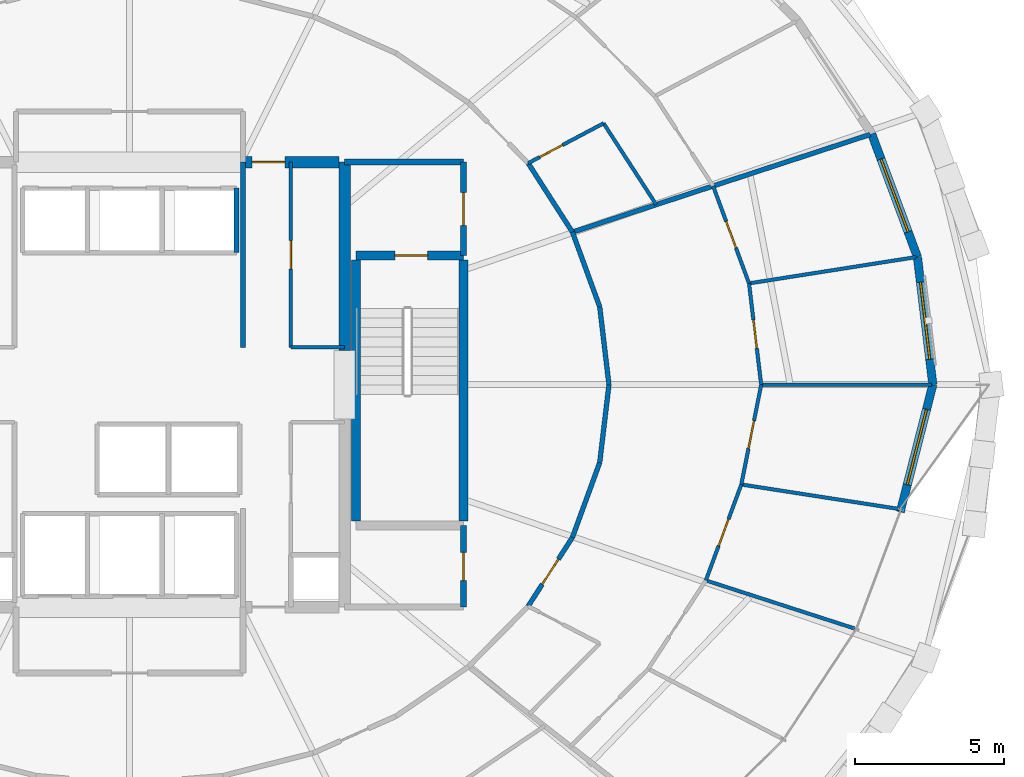
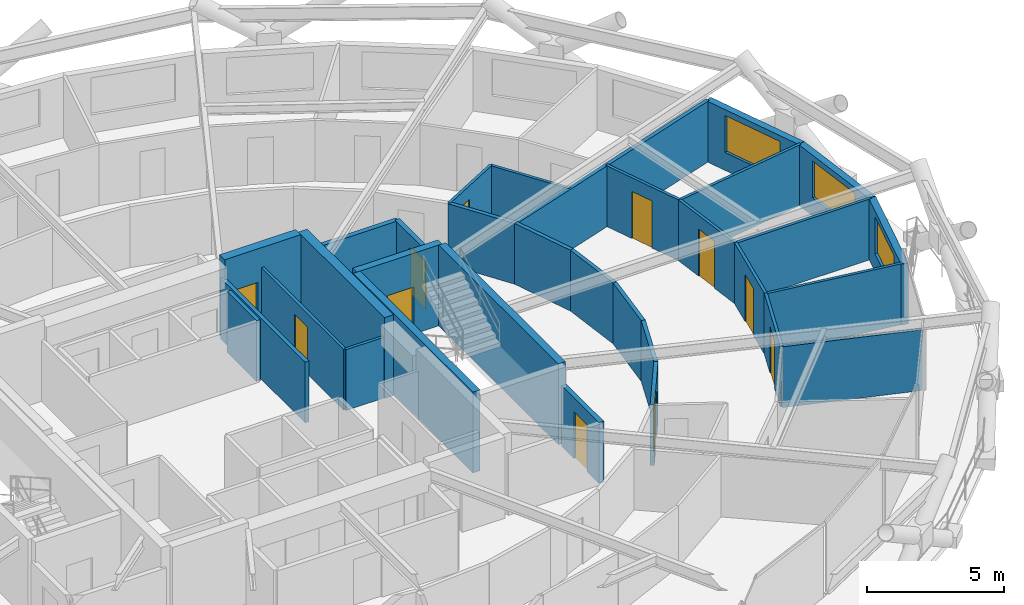
# One storey, part 16 of 21: 32 walls, 11 doors, 3 windows, 14 openings.
"""IFC4 building model written with IfcOpenShell, lengths in metres."""

from ifc_helpers import new_model, si_unit, direction, frame, frame_2d, origin, place, context, subcontext, project, spatial, rectangle, extrude, material, layer, layer_set, type_object, element, fill, save


model = new_model("IFC4")

# Units and contexts
model_context = context("Model", 3, precision=1e-05, world=origin(), true_north=direction((0.0, 1.0)))
body_context = subcontext(model_context, "Body", "Model", "MODEL_VIEW")
ifc_project = project(units=[si_unit("LENGTHUNIT", "METRE"), si_unit("AREAUNIT", "SQUARE_METRE"), si_unit("VOLUMEUNIT", "CUBIC_METRE"), si_unit("PLANEANGLEUNIT", "RADIAN"), si_unit("MASSUNIT", "GRAM", prefix="KILO")], contexts=[model_context])

# Site, building, storey
site_placement = place(None, origin())
site = spatial("IfcSite", under=ifc_project, at=site_placement, CompositionType="ELEMENT")
building_placement = place(site_placement, origin())
building = spatial("IfcBuilding", under=site, at=building_placement, Name="Veldorina Hangang Commons", CompositionType="ELEMENT")
storey_placement = place(building_placement, frame((0.0, 0.0, 98.800048828125)))
storey = spatial("IfcBuildingStorey", under=building, at=storey_placement, Name="L25", CompositionType="ELEMENT", Elevation=98.800048828125)

# Wall
ifc_material_1 = material(Name="Concrete C70/85", Category="concrete")
ifc_layer_1 = layer(ifc_material_1, 0.3798828125)
ifc_layer_set_1 = layer_set([ifc_layer_1], Name="Concrete C70/85")
wall_type_1 = type_object("IfcWallType", Name="CW-RC380-C70", PredefinedType="SHEAR", material=ifc_layer_set_1)
wall_1_placement = place(storey_placement, frame((39.199951171875, 25.14990234375, 0.0), z_axis=(0.0, 0.0, 1.0), x_axis=(0.0, 1.0, 0.0)))
element("IfcWall", 1, at=wall_1_placement, inside=storey, type_object=wall_type_1, Name="L25 E north core shear wall", PredefinedType="SHEAR", context=body_context, shape_type="SweptSolid", body=[
    extrude(rectangle(XDim=6.300048828125, YDim=0.3798828125, at=frame_2d((3.14990234375, 0.0))), origin(), (0.0, 0.0, 1.0), 3.599853515625),
])

# Wall, opening, door
wall_2_placement = place(storey_placement, frame((35.800048828125, 31.449951171875, 0.0), z_axis=(0.0, 0.0, 1.0), x_axis=(1.0, 0.0, 0.0)))
wall_2 = element("IfcWall", 2, at=wall_2_placement, inside=storey, type_object=wall_type_1, Name="L25 north-east core shear wall", PredefinedType="SHEAR", context=body_context, shape_type="SweptSolid", body=[
    extrude(rectangle(XDim=3.2099609375, YDim=0.3798828125, at=frame_2d((1.60498046875, 0.0))), origin(), (0.0, 0.0, 1.0), 3.599853515625),
])
opening_1_placement = place(wall_2_placement, frame((0.300048828125, 0.0, 0.0)))
opening_1 = element("IfcOpeningElement", 3, at=opening_1_placement, cuts=wall_2, Name="Opening D-08", PredefinedType="OPENING", context=body_context, shape_type="SweptSolid", body=[
    extrude(rectangle(XDim=1.10009765625, YDim=2.10009765625, at=frame_2d((0.550048828125, 1.050048828125))), frame((0.0, 0.199951171875, 0.0), z_axis=(0.0, -1.0, 0.0), x_axis=(1.0, 0.0, 0.0)), (0.0, 0.0, 1.0), 0.39990234375),
])
ifc_material_2 = material(Name="Steel Fire-Rated Smoke Seal", Category="steel")
door_type_1 = type_object("IfcDoorType", Name="DR-FIRE-1100", OperationType="SINGLE_SWING_RIGHT", PredefinedType="DOOR", material=ifc_material_2)
door_1_placement = place(opening_1_placement, origin())
door_1 = element("IfcDoor", 4, at=door_1_placement, inside=storey, type_object=door_type_1, Name="L25 central lift lobby north corridor door", OperationType="SINGLE_SWING_LEFT", OverallHeight=2.10009765625, OverallWidth=1.10009765625, PredefinedType="DOOR", context=body_context, shape_type="SweptSolid", body=[
    extrude(rectangle(XDim=1.10009765625, YDim=2.10009765625, at=frame_2d((0.550048828125, 1.050048828125))), frame((0.0, 0.02490234375, 0.0), z_axis=(0.0, -1.0, 0.0), x_axis=(1.0, 0.0, 0.0)), (0.0, 0.0, 1.0), 0.050048828125),
])
fill(opening_1, door_1)

# Wall, opening, window
ifc_material_3 = material(Name="Stone Roman Travertine", Category="masonry")
ifc_layer_2 = layer(ifc_material_3, 0.280029296875)
ifc_layer_set_2 = layer_set([ifc_layer_2], Name="Stone Roman Travertine")
wall_type_2 = type_object("IfcWallType", Name="EW-TRAV-280", PredefinedType="STANDARD", material=ifc_layer_set_2)
wall_3_placement = place(storey_placement, frame((58.89501953125, 24.0, 0.0), z_axis=(0.0, 0.0, 1.0), x_axis=(-0.119886563343, 0.992787596583, 0.0)))
wall_3 = element("IfcWall", 5, at=wall_3_placement, inside=storey, type_object=wall_type_2, Name="L25 travertine facade wall 00", PredefinedType="STANDARD", context=body_context, shape_type="SweptSolid", body=[
    extrude(rectangle(XDim=4.31103515625, YDim=0.280029296875, at=frame_2d((2.155517578125, 0.0))), origin(), (0.0, 0.0, 1.0), 2.7099609375),
])
opening_2_placement = place(wall_3_placement, frame((0.85546875, 0.0, 0.800048828125)))
opening_2 = element("IfcOpeningElement", 6, at=opening_2_placement, cuts=wall_3, Name="Opening W-02", PredefinedType="OPENING", context=body_context, shape_type="SweptSolid", body=[
    extrude(rectangle(XDim=2.60009765625, YDim=1.64990234375, at=frame_2d((1.300048828125, 0.824951171875))), frame((0.0, 0.14990234375, 0.0), z_axis=(0.0, -1.0, 0.0), x_axis=(1.0, 0.0, 0.0)), (0.0, 0.0, 1.0), 0.300048828125),
])
ifc_material_4 = material(Name="Glass Low-E Triple IGU", Category="glass")
window_type = type_object("IfcWindowType", Name="WIN-TWR-2600", PartitioningType="SINGLE_PANEL", PredefinedType="WINDOW", material=ifc_material_4)
window_1_placement = place(opening_2_placement, origin())
window_1 = element("IfcWindow", 7, at=window_1_placement, inside=storey, type_object=window_type, Name="L25 facade window 00", OverallHeight=1.64990234375, OverallWidth=2.60009765625, PartitioningType="SINGLE_PANEL", PredefinedType="WINDOW", context=body_context, shape_type="SweptSolid", body=[
    extrude(rectangle(XDim=2.60009765625, YDim=1.64990234375, at=frame_2d((1.300048828125, 0.824951171875))), frame((0.0, 0.030029296875, 0.0), z_axis=(0.0, -1.0, 0.0), x_axis=(1.0, 0.0, 0.0)), (0.0, 0.0, 1.0), 0.06005859375),
])
fill(opening_2, window_1)

wall_4_placement = place(storey_placement, frame((58.378173828125, 28.280029296875, 0.0), z_axis=(0.0, 0.0, 1.0), x_axis=(-0.348569013741, 0.937283117665, 0.0)))
wall_4 = element("IfcWall", 8, at=wall_4_placement, inside=storey, type_object=wall_type_2, Name="L25 travertine facade wall 01", PredefinedType="STANDARD", context=body_context, shape_type="SweptSolid", body=[
    extrude(rectangle(XDim=4.390869140625, YDim=0.280029296875, at=frame_2d((2.1953125, 0.0))), origin(), (0.0, 0.0, 1.0), 2.7099609375),
])
opening_3_placement = place(wall_4_placement, frame((0.8955078125, 0.0, 0.800048828125)))
opening_3 = element("IfcOpeningElement", 9, at=opening_3_placement, cuts=wall_4, Name="Opening W-02", PredefinedType="OPENING", context=body_context, shape_type="SweptSolid", body=[
    extrude(rectangle(XDim=2.60009765625, YDim=1.64990234375, at=frame_2d((1.300048828125, 0.824951171875))), frame((0.0, 0.14990234375, 0.0), z_axis=(0.0, -1.0, 0.0), x_axis=(1.0, 0.0, 0.0)), (0.0, 0.0, 1.0), 0.300048828125),
])
window_2_placement = place(opening_3_placement, origin())
window_2 = element("IfcWindow", 10, at=window_2_placement, inside=storey, type_object=window_type, Name="L25 facade window 01", OverallHeight=1.64990234375, OverallWidth=2.60009765625, PartitioningType="SINGLE_PANEL", PredefinedType="WINDOW", context=body_context, shape_type="SweptSolid", body=[
    extrude(rectangle(XDim=2.60009765625, YDim=1.64990234375, at=frame_2d((1.300048828125, 0.824951171875))), frame((0.0, 0.030029296875, 0.0), z_axis=(0.0, -1.0, 0.0), x_axis=(1.0, 0.0, 0.0)), (0.0, 0.0, 1.0), 0.06005859375),
])
fill(opening_3, window_2)

wall_5_placement = place(storey_placement, frame((57.80615234375, 19.740234375, 0.0), z_axis=(0.0, 0.0, 1.0), x_axis=(0.247653865661, 0.968848575797, 0.0)))
wall_5 = element("IfcWall", 11, at=wall_5_placement, inside=storey, type_object=wall_type_2, Name="L25 travertine facade wall 31", PredefinedType="STANDARD", context=body_context, shape_type="SweptSolid", body=[
    extrude(rectangle(XDim=4.396728515625, YDim=0.280029296875, at=frame_2d((2.1982421875, 0.0))), origin(), (0.0, 0.0, 1.0), 2.7099609375),
])
opening_4_placement = place(wall_5_placement, frame((0.9443359375, 0.0, 0.800048828125)))
opening_4 = element("IfcOpeningElement", 12, at=opening_4_placement, cuts=wall_5, Name="Opening W-02", PredefinedType="OPENING", context=body_context, shape_type="SweptSolid", body=[
    extrude(rectangle(XDim=2.60009765625, YDim=1.64990234375, at=frame_2d((1.300048828125, 0.824951171875))), frame((0.0, 0.14990234375, 0.0), z_axis=(0.0, -1.0, 0.0), x_axis=(1.0, 0.0, 0.0)), (0.0, 0.0, 1.0), 0.300048828125),
])
window_3_placement = place(opening_4_placement, origin())
window_3 = element("IfcWindow", 13, at=window_3_placement, inside=storey, type_object=window_type, Name="L25 facade window 31", OverallHeight=1.64990234375, OverallWidth=2.60009765625, PartitioningType="SINGLE_PANEL", PredefinedType="WINDOW", context=body_context, shape_type="SweptSolid", body=[
    extrude(rectangle(XDim=2.60009765625, YDim=1.64990234375, at=frame_2d((1.300048828125, 0.824951171875))), frame((0.0, 0.030029296875, 0.0), z_axis=(0.0, -1.0, 0.0), x_axis=(1.0, 0.0, 0.0)), (0.0, 0.0, 1.0), 0.06005859375),
])
fill(opening_4, window_3)

# Walls
ifc_material_5 = material(Name="Concrete C50/60", Category="concrete")
ifc_layer_3 = layer(ifc_material_5, 0.300048828125)
ifc_layer_set_3 = layer_set([ifc_layer_3], Name="Concrete C50/60")
wall_type_3 = type_object("IfcWallType", Name="SW-STAIR-300", PredefinedType="SHEAR", material=ifc_layer_set_3)
for number, where, z_axis, x_axis, name in (
    (14, (43.179931640625, 19.429931640625, 0.0), (0.0, 0.0, 1.0), (0.0, 1.0, 0.0), "L25 ST2 outer stair shear wall"),
    (15, (39.580078125, 19.429931640625, 0.0), (0.0, 0.0, 1.0), (0.0, 1.0, 0.0), "L25 ST2 inner stair shear wall"),
):
    element("IfcWall", number, at=place(storey_placement, frame(where, z_axis=z_axis, x_axis=x_axis)), inside=storey, type_object=wall_type_3, Name=name, PredefinedType="SHEAR", context=body_context, shape_type="SweptSolid", body=[
        extrude(rectangle(XDim=8.739990234375, YDim=0.300048828125, at=frame_2d((4.3701171875, 0.0))), origin(), (0.0, 0.0, 1.0), 3.599853515625),
    ])

# Wall, opening, door
wall_6_placement = place(storey_placement, frame((39.580078125, 28.320068359375, 0.0), z_axis=(0.0, 0.0, 1.0), x_axis=(1.0, 0.0, 0.0)))
wall_6 = element("IfcWall", 16, at=wall_6_placement, inside=storey, type_object=wall_type_3, Name="L25 ST2 north stair shear wall", PredefinedType="SHEAR", context=body_context, shape_type="SweptSolid", body=[
    extrude(rectangle(XDim=3.599853515625, YDim=0.300048828125, at=frame_2d((1.7998046875, 0.0))), origin(), (0.0, 0.0, 1.0), 3.599853515625),
])
opening_5_placement = place(wall_6_placement, frame((1.300048828125, 0.0, 0.0)))
opening_5 = element("IfcOpeningElement", 17, at=opening_5_placement, cuts=wall_6, Name="Opening D-08", PredefinedType="OPENING", context=body_context, shape_type="SweptSolid", body=[
    extrude(rectangle(XDim=1.10009765625, YDim=2.10009765625, at=frame_2d((0.550048828125, 1.050048828125))), frame((0.0, 0.16015625, 0.0), z_axis=(0.0, -1.0, 0.0), x_axis=(1.0, 0.0, 0.0)), (0.0, 0.0, 1.0), 0.320068359375),
])
door_2_placement = place(opening_5_placement, origin())
door_2 = element("IfcDoor", 18, at=door_2_placement, inside=storey, type_object=door_type_1, Name="L25 Special Escape Stair ST-2 door", OperationType="SINGLE_SWING_RIGHT", OverallHeight=2.10009765625, OverallWidth=1.10009765625, PredefinedType="DOOR", context=body_context, shape_type="SweptSolid", body=[
    extrude(rectangle(XDim=1.10009765625, YDim=2.10009765625, at=frame_2d((0.550048828125, 1.050048828125))), frame((0.0, 0.02490234375, 0.0), z_axis=(0.0, -1.0, 0.0), x_axis=(1.0, 0.0, 0.0)), (0.0, 0.0, 1.0), 0.050048828125),
])
fill(opening_5, door_2)

# Walls
ifc_material_6 = material(Name="Gypsum Fire-Rated Twin Stud Wall", Category="gypsum")
ifc_layer_4 = layer(ifc_material_6, 0.159912109375)
ifc_layer_set_4 = layer_set([ifc_layer_4], Name="Gypsum Fire-Rated Twin Stud Wall")
wall_type_4 = type_object("IfcWallType", Name="WL-FIRE-160", PredefinedType="SOLIDWALL", material=ifc_layer_set_4)
wall_7_placement = place(storey_placement, frame((35.800048828125, 25.25, 0.0), z_axis=(0.0, 0.0, 1.0), x_axis=(0.0, 1.0, 0.0)))
element("IfcWall", 19, at=wall_7_placement, inside=storey, type_object=wall_type_4, Name="L25 Lift passage NW wall 011", PredefinedType="SOLIDWALL", context=body_context, shape_type="SweptSolid", body=[
    extrude(rectangle(XDim=6.199951171875, YDim=0.159912109375, at=frame_2d((3.10009765625, 0.0))), origin(), (0.0, 0.0, 1.0), 2.7099609375),
])
wall_8_placement = place(storey_placement, frame((35.580078125, 28.419921875, 0.0), z_axis=(0.0, 0.0, 1.0), x_axis=(0.0, 1.0, 0.0)))
element("IfcWall", 20, at=wall_8_placement, inside=storey, type_object=wall_type_4, Name="L25 PL-L3 east shaft wall 020", PredefinedType="SOLIDWALL", context=body_context, shape_type="SweptSolid", body=[
    extrude(rectangle(XDim=2.16015625, YDim=0.159912109375, at=frame_2d((1.080078125, 0.0))), origin(), (0.0, 0.0, 1.0), 2.7099609375),
])
wall_9_placement = place(storey_placement, frame((48.050048828125, 24.0, 0.0), z_axis=(0.0, 0.0, 1.0), x_axis=(-0.117570353762, 0.993064555765, 0.0)))
element("IfcWall", 21, at=wall_9_placement, inside=storey, type_object=wall_type_4, Name="L25 Corridor outer wall 00 045", PredefinedType="SOLIDWALL", context=body_context, shape_type="SweptSolid", body=[
    extrude(rectangle(XDim=2.622802734375, YDim=0.159912109375, at=frame_2d((1.3115234375, 0.0))), origin(), (0.0, 0.0, 1.0), 2.7099609375),
])
wall_10_placement = place(storey_placement, frame((47.74169921875, 26.6044921875, 0.0), z_axis=(0.0, 0.0, 1.0), x_axis=(-0.342617982381, 0.939474809747, 0.0)))
element("IfcWall", 22, at=wall_10_placement, inside=storey, type_object=wall_type_4, Name="L25 Corridor outer wall 01 046", PredefinedType="SOLIDWALL", context=body_context, shape_type="SweptSolid", body=[
    extrude(rectangle(XDim=2.665771484375, YDim=0.159912109375, at=frame_2d((1.3330078125, 0.0))), origin(), (0.0, 0.0, 1.0), 2.7099609375),
])
wall_11_placement = place(storey_placement, frame((46.828369140625, 29.10888671875, 0.0), z_axis=(0.0, 0.0, 1.0), x_axis=(-0.540595670038, 0.841282545603, 0.0)))
element("IfcWall", 23, at=wall_11_placement, inside=storey, type_object=wall_type_4, Name="L25 Corridor outer wall 02 047", PredefinedType="SOLIDWALL", context=body_context, shape_type="SweptSolid", body=[
    extrude(rectangle(XDim=2.74365234375, YDim=0.159912109375, at=frame_2d((1.371826171875, 0.0))), origin(), (0.0, 0.0, 1.0), 2.7099609375),
])

# Wall, opening, door
wall_12_placement = place(storey_placement, frame((45.34521484375, 16.5830078125, 0.0), z_axis=(0.0, 0.0, 1.0), x_axis=(0.540595670038, 0.841282545603, 0.0)))
wall_12 = element("IfcWall", 24, at=wall_12_placement, inside=storey, type_object=wall_type_4, Name="L25 Corridor outer wall 29 074", PredefinedType="SOLIDWALL", context=body_context, shape_type="SweptSolid", body=[
    extrude(rectangle(XDim=2.74365234375, YDim=0.159912109375, at=frame_2d((1.371826171875, 0.0))), origin(), (0.0, 0.0, 1.0), 2.7099609375),
])
opening_6_placement = place(wall_12_placement, frame((0.871826171875, 0.0, 0.0)))
opening_6 = element("IfcOpeningElement", 25, at=opening_6_placement, cuts=wall_12, Name="Opening D-06", PredefinedType="OPENING", context=body_context, shape_type="SweptSolid", body=[
    extrude(rectangle(XDim=1.0, YDim=2.10009765625, at=frame_2d((0.5, 1.050048828125))), frame((0.0, 0.08984375, 0.0), z_axis=(0.0, -1.0, 0.0), x_axis=(1.0, 0.0, 0.0)), (0.0, 0.0, 1.0), 0.179931640625),
])
ifc_material_7 = material(Name="Timber Fire-Rated Entrance Core", Category="wood")
door_type_2 = type_object("IfcDoorType", Name="DR-UNIT-1000", OperationType="SINGLE_SWING_LEFT", PredefinedType="DOOR", material=ifc_material_7)
door_3_placement = place(opening_6_placement, origin())
door_3 = element("IfcDoor", 26, at=door_3_placement, inside=storey, type_object=door_type_2, Name="L25 Cluster 2 entrance door 020", OperationType="SINGLE_SWING_RIGHT", OverallHeight=2.10009765625, OverallWidth=1.0, PredefinedType="DOOR", context=body_context, shape_type="SweptSolid", body=[
    extrude(rectangle(XDim=1.0, YDim=2.10009765625, at=frame_2d((0.5, 1.050048828125))), frame((0.0, 0.02490234375, 0.0), z_axis=(0.0, -1.0, 0.0), x_axis=(1.0, 0.0, 0.0)), (0.0, 0.0, 1.0), 0.050048828125),
])
fill(opening_6, door_3)

# Walls
wall_13_placement = place(storey_placement, frame((46.828369140625, 18.89111328125, 0.0), z_axis=(0.0, 0.0, 1.0), x_axis=(0.342617982381, 0.939474809747, 0.0)))
element("IfcWall", 27, at=wall_13_placement, inside=storey, type_object=wall_type_4, Name="L25 Corridor outer wall 30 075", PredefinedType="SOLIDWALL", context=body_context, shape_type="SweptSolid", body=[
    extrude(rectangle(XDim=2.665771484375, YDim=0.159912109375, at=frame_2d((1.3330078125, 0.0))), origin(), (0.0, 0.0, 1.0), 2.7099609375),
])
wall_14_placement = place(storey_placement, frame((47.74169921875, 21.3955078125, 0.0), z_axis=(0.0, 0.0, 1.0), x_axis=(0.117570353762, 0.993064555765, 0.0)))
element("IfcWall", 28, at=wall_14_placement, inside=storey, type_object=wall_type_4, Name="L25 Corridor outer wall 31 076", PredefinedType="SOLIDWALL", context=body_context, shape_type="SweptSolid", body=[
    extrude(rectangle(XDim=2.622802734375, YDim=0.159912109375, at=frame_2d((1.3115234375, 0.0))), origin(), (0.0, 0.0, 1.0), 2.7099609375),
])
wall_15_placement = place(storey_placement, frame((46.828369140625, 29.10888671875, 0.0), z_axis=(0.0, 0.0, 1.0), x_axis=(0.950186855509, 0.311680829725, 0.0)))
element("IfcWall", 29, at=wall_15_placement, inside=storey, type_object=wall_type_4, Name="L25 Unit party wall 02 096", PredefinedType="SOLIDWALL", context=body_context, shape_type="SweptSolid", body=[
    extrude(rectangle(XDim=10.49462890625, YDim=0.159912109375, at=frame_2d((5.247314453125, 0.0))), origin(), (0.0, 0.0, 1.0), 2.7099609375),
])

# Wall, opening, door
ifc_material_8 = material(Name="Concrete Blockwork Fire Wall C30/37", Category="masonry")
ifc_layer_5 = layer(ifc_material_8, 0.199951171875)
ifc_layer_set_5 = layer_set([ifc_layer_5], Name="Concrete Blockwork Fire Wall C30/37")
wall_type_5 = type_object("IfcWallType", Name="WL-FIRE-200", PredefinedType="SOLIDWALL", material=ifc_layer_set_5)
wall_16_placement = place(storey_placement, frame((43.179931640625, 28.320068359375, 0.0), z_axis=(0.0, 0.0, 1.0), x_axis=(0.0, 1.0, 0.0)))
wall_16 = element("IfcWall", 30, at=wall_16_placement, inside=storey, type_object=wall_type_5, Name="L25 East vestibule outer wall 003", PredefinedType="SOLIDWALL", context=body_context, shape_type="SweptSolid", body=[
    extrude(rectangle(XDim=3.1298828125, YDim=0.199951171875, at=frame_2d((1.56494140625, 0.0))), origin(), (0.0, 0.0, 1.0), 2.7099609375),
])
opening_7_placement = place(wall_16_placement, frame((1.014892578125, 0.0, 0.0)))
opening_7 = element("IfcOpeningElement", 31, at=opening_7_placement, cuts=wall_16, Name="Opening D-08", PredefinedType="OPENING", context=body_context, shape_type="SweptSolid", body=[
    extrude(rectangle(XDim=1.10009765625, YDim=2.10009765625, at=frame_2d((0.550048828125, 1.050048828125))), frame((0.0, 0.10986328125, 0.0), z_axis=(0.0, -1.0, 0.0), x_axis=(1.0, 0.0, 0.0)), (0.0, 0.0, 1.0), 0.219970703125),
])
door_4_placement = place(opening_7_placement, origin())
door_4 = element("IfcDoor", 32, at=door_4_placement, inside=storey, type_object=door_type_1, Name="L25 East vestibule east door 002", OperationType="SINGLE_SWING_RIGHT", OverallHeight=2.10009765625, OverallWidth=1.10009765625, PredefinedType="DOOR", context=body_context, shape_type="SweptSolid", body=[
    extrude(rectangle(XDim=1.10009765625, YDim=2.10009765625, at=frame_2d((0.550048828125, 1.050048828125))), frame((0.0, 0.02490234375, 0.0), z_axis=(0.0, -1.0, 0.0), x_axis=(1.0, 0.0, 0.0)), (0.0, 0.0, 1.0), 0.050048828125),
])
fill(opening_7, door_4)

# Wall
wall_17_placement = place(storey_placement, frame((39.199951171875, 31.449951171875, 0.0), z_axis=(0.0, 0.0, 1.0), x_axis=(1.0, 0.0, 0.0)))
element("IfcWall", 33, at=wall_17_placement, inside=storey, type_object=wall_type_5, Name="L25 East vestibule north wall 004", PredefinedType="SOLIDWALL", context=body_context, shape_type="SweptSolid", body=[
    extrude(rectangle(XDim=3.97998046875, YDim=0.199951171875, at=frame_2d((1.989990234375, 0.0))), origin(), (0.0, 0.0, 1.0), 2.7099609375),
])

# Wall, opening, door
wall_18_placement = place(storey_placement, frame((43.179931640625, 16.550048828125, 0.0), z_axis=(0.0, 0.0, 1.0), x_axis=(0.0, 1.0, 0.0)))
wall_18 = element("IfcWall", 34, at=wall_18_placement, inside=storey, type_object=wall_type_5, Name="L25 SE core room outer wall 007", PredefinedType="SOLIDWALL", context=body_context, shape_type="SweptSolid", body=[
    extrude(rectangle(XDim=2.72998046875, YDim=0.199951171875, at=frame_2d((1.364990234375, 0.0))), origin(), (0.0, 0.0, 1.0), 2.7099609375),
])
opening_8_placement = place(wall_18_placement, frame((0.889892578125, 0.0, 0.0)))
opening_8 = element("IfcOpeningElement", 35, at=opening_8_placement, cuts=wall_18, Name="Opening D-02", PredefinedType="OPENING", context=body_context, shape_type="SweptSolid", body=[
    extrude(rectangle(XDim=0.949951171875, YDim=2.10009765625, at=frame_2d((0.47509765625, 1.050048828125))), frame((0.0, 0.10986328125, 0.0), z_axis=(0.0, -1.0, 0.0), x_axis=(1.0, 0.0, 0.0)), (0.0, 0.0, 1.0), 0.219970703125),
])
ifc_material_9 = material(Name="Timber Solid Core Acoustic", Category="wood")
door_type_3 = type_object("IfcDoorType", Name="DR-INT-950", OperationType="SINGLE_SWING_LEFT", PredefinedType="DOOR", material=ifc_material_9)
door_5_placement = place(opening_8_placement, origin())
door_5 = element("IfcDoor", 36, at=door_5_placement, inside=storey, type_object=door_type_3, Name="L25 SE core WC door 004", OperationType="SINGLE_SWING_RIGHT", OverallHeight=2.10009765625, OverallWidth=0.949951171875, PredefinedType="DOOR", context=body_context, shape_type="SweptSolid", body=[
    extrude(rectangle(XDim=0.949951171875, YDim=2.10009765625, at=frame_2d((0.47509765625, 1.050048828125))), frame((0.0, 0.02490234375, 0.0), z_axis=(0.0, -1.0, 0.0), x_axis=(1.0, 0.0, 0.0)), (0.0, 0.0, 1.0), 0.050048828125),
])
fill(opening_8, door_5)

ifc_material_10 = material(Name="Gypsum Acoustic Stud Partition", Category="gypsum")
ifc_layer_6 = layer(ifc_material_10, 0.1201171875)
ifc_layer_set_6 = layer_set([ifc_layer_6], Name="Gypsum Acoustic Stud Partition")
wall_type_6 = type_object("IfcWallType", Name="WL-PART-120", PredefinedType="PARTITIONING", material=ifc_layer_set_6)
wall_19_placement = place(storey_placement, frame((37.39990234375, 25.25, 0.0), z_axis=(0.0, 0.0, 1.0), x_axis=(0.0, 1.0, 0.0)))
wall_19 = element("IfcWall", 37, at=wall_19_placement, inside=storey, type_object=wall_type_6, Name="L25 NE strip lobby wall 041", PredefinedType="PARTITIONING", context=body_context, shape_type="SweptSolid", body=[
    extrude(rectangle(XDim=6.199951171875, YDim=0.1201171875, at=frame_2d((3.10009765625, 0.0))), origin(), (0.0, 0.0, 1.0), 2.7099609375),
])
opening_9_placement = place(wall_19_placement, frame((2.625, 0.0, 0.0)))
opening_9 = element("IfcOpeningElement", 38, at=opening_9_placement, cuts=wall_19, Name="Opening D-02", PredefinedType="OPENING", context=body_context, shape_type="SweptSolid", body=[
    extrude(rectangle(XDim=0.949951171875, YDim=2.10009765625, at=frame_2d((0.47509765625, 1.050048828125))), frame((0.0, 0.070068359375, 0.0), z_axis=(0.0, -1.0, 0.0), x_axis=(1.0, 0.0, 0.0)), (0.0, 0.0, 1.0), 0.14013671875),
])
door_6_placement = place(opening_9_placement, origin())
door_6 = element("IfcDoor", 39, at=door_6_placement, inside=storey, type_object=door_type_3, Name="L25 Comms room door 015", OperationType="SINGLE_SWING_LEFT", OverallHeight=2.10009765625, OverallWidth=0.949951171875, PredefinedType="DOOR", context=body_context, shape_type="SweptSolid", body=[
    extrude(rectangle(XDim=0.949951171875, YDim=2.10009765625, at=frame_2d((0.47509765625, 1.050048828125))), frame((0.0, 0.02490234375, 0.0), z_axis=(0.0, -1.0, 0.0), x_axis=(1.0, 0.0, 0.0)), (0.0, 0.0, 1.0), 0.050048828125),
])
fill(opening_9, door_6)

# Wall
wall_20_placement = place(storey_placement, frame((37.39990234375, 25.25, 0.0), z_axis=(0.0, 0.0, 1.0), x_axis=(1.0, 0.0, 0.0)))
element("IfcWall", 40, at=wall_20_placement, inside=storey, type_object=wall_type_6, Name="L25 NE strip south return wall 042", PredefinedType="PARTITIONING", context=body_context, shape_type="SweptSolid", body=[
    extrude(rectangle(XDim=1.800048828125, YDim=0.1201171875, at=frame_2d((0.89990234375, 0.0))), origin(), (0.0, 0.0, 1.0), 2.7099609375),
])

# Wall, opening, door
wall_21_placement = place(storey_placement, frame((51.294189453125, 17.447265625, 0.0), z_axis=(0.0, 0.0, 1.0), x_axis=(0.347003238875, 0.937863930541, 0.0)))
wall_21 = element("IfcWall", 41, at=wall_21_placement, inside=storey, type_object=wall_type_6, Name="L25 Cluster 2 bed 3 front wall 088", PredefinedType="PARTITIONING", context=body_context, shape_type="SweptSolid", body=[
    extrude(rectangle(XDim=3.425048828125, YDim=0.1201171875, at=frame_2d((1.71240234375, 0.0))), origin(), (0.0, 0.0, 1.0), 2.7099609375),
])
opening_10_placement = place(wall_21_placement, frame((1.237548828125, 0.0, 0.0)))
opening_10 = element("IfcOpeningElement", 42, at=opening_10_placement, cuts=wall_21, Name="Opening D-02", PredefinedType="OPENING", context=body_context, shape_type="SweptSolid", body=[
    extrude(rectangle(XDim=0.949951171875, YDim=2.10009765625, at=frame_2d((0.47509765625, 1.050048828125))), frame((0.0, 0.070068359375, 0.0), z_axis=(0.0, -1.0, 0.0), x_axis=(1.0, 0.0, 0.0)), (0.0, 0.0, 1.0), 0.14013671875),
])
door_7_placement = place(opening_10_placement, origin())
door_7 = element("IfcDoor", 43, at=door_7_placement, inside=storey, type_object=door_type_3, Name="L25 Cluster 2 bed 3 door 023", OperationType="SINGLE_SWING_LEFT", OverallHeight=2.10009765625, OverallWidth=0.949951171875, PredefinedType="DOOR", context=body_context, shape_type="SweptSolid", body=[
    extrude(rectangle(XDim=0.949951171875, YDim=2.10009765625, at=frame_2d((0.47509765625, 1.050048828125))), frame((0.0, 0.02490234375, 0.0), z_axis=(0.0, -1.0, 0.0), x_axis=(1.0, 0.0, 0.0)), (0.0, 0.0, 1.0), 0.050048828125),
])
fill(opening_10, door_7)

# Wall
wall_22_placement = place(storey_placement, frame((51.294189453125, 17.447265625, 0.0), z_axis=(0.0, 0.0, 1.0), x_axis=(0.951494646127, -0.307665302548, 0.0)))
element("IfcWall", 44, at=wall_22_placement, inside=storey, type_object=wall_type_6, Name="L25 Cluster 2 bed divider 2 089", PredefinedType="PARTITIONING", context=body_context, shape_type="SweptSolid", body=[
    extrude(rectangle(XDim=5.242919921875, YDim=0.1201171875, at=frame_2d((2.62158203125, 0.0))), origin(), (0.0, 0.0, 1.0), 2.7099609375),
])

# Wall, opening, door
wall_23_placement = place(storey_placement, frame((52.482666015625, 20.659423828125, 0.0), z_axis=(0.0, 0.0, 1.0), x_axis=(0.195109771399, 0.98078141148, 0.0)))
wall_23 = element("IfcWall", 45, at=wall_23_placement, inside=storey, type_object=wall_type_6, Name="L25 Cluster 2 bed 4 front wall 090", PredefinedType="PARTITIONING", context=body_context, shape_type="SweptSolid", body=[
    extrude(rectangle(XDim=3.406005859375, YDim=0.1201171875, at=frame_2d((1.703125, 0.0))), origin(), (0.0, 0.0, 1.0), 2.7099609375),
])
opening_11_placement = place(wall_23_placement, frame((1.22802734375, 0.0, 0.0)))
opening_11 = element("IfcOpeningElement", 46, at=opening_11_placement, cuts=wall_23, Name="Opening D-02", PredefinedType="OPENING", context=body_context, shape_type="SweptSolid", body=[
    extrude(rectangle(XDim=0.949951171875, YDim=2.10009765625, at=frame_2d((0.47509765625, 1.050048828125))), frame((0.0, 0.070068359375, 0.0), z_axis=(0.0, -1.0, 0.0), x_axis=(1.0, 0.0, 0.0)), (0.0, 0.0, 1.0), 0.14013671875),
])
door_8_placement = place(opening_11_placement, origin())
door_8 = element("IfcDoor", 47, at=door_8_placement, inside=storey, type_object=door_type_3, Name="L25 Cluster 2 bed 4 door 024", OperationType="SINGLE_SWING_RIGHT", OverallHeight=2.10009765625, OverallWidth=0.949951171875, PredefinedType="DOOR", context=body_context, shape_type="SweptSolid", body=[
    extrude(rectangle(XDim=0.949951171875, YDim=2.10009765625, at=frame_2d((0.47509765625, 1.050048828125))), frame((0.0, 0.02490234375, 0.0), z_axis=(0.0, -1.0, 0.0), x_axis=(1.0, 0.0, 0.0)), (0.0, 0.0, 1.0), 0.050048828125),
])
fill(opening_11, door_8)

# Wall
wall_24_placement = place(storey_placement, frame((52.482666015625, 20.659423828125, 0.0), z_axis=(0.0, 0.0, 1.0), x_axis=(0.988157477478, -0.15344314812, 0.0)))
element("IfcWall", 48, at=wall_24_placement, inside=storey, type_object=wall_type_6, Name="L25 Cluster 2 bed divider 3 091", PredefinedType="PARTITIONING", context=body_context, shape_type="SweptSolid", body=[
    extrude(rectangle(XDim=5.3603515625, YDim=0.1201171875, at=frame_2d((2.68017578125, 0.0))), origin(), (0.0, 0.0, 1.0), 2.7099609375),
])

# Wall, opening, door
wall_25_placement = place(storey_placement, frame((53.147216796875, 24.0, 0.0), z_axis=(0.0, 0.0, 1.0), x_axis=(-0.118984598137, 0.992896100006, 0.0)))
wall_25 = element("IfcWall", 49, at=wall_25_placement, inside=storey, type_object=wall_type_6, Name="L25 Cluster 2 bed 5 front wall 092", PredefinedType="PARTITIONING", context=body_context, shape_type="SweptSolid", body=[
    extrude(rectangle(XDim=3.416259765625, YDim=0.1201171875, at=frame_2d((1.7080078125, 0.0))), origin(), (0.0, 0.0, 1.0), 2.7099609375),
])
opening_12_placement = place(wall_25_placement, frame((1.233154296875, 0.0, 0.0)))
opening_12 = element("IfcOpeningElement", 50, at=opening_12_placement, cuts=wall_25, Name="Opening D-02", PredefinedType="OPENING", context=body_context, shape_type="SweptSolid", body=[
    extrude(rectangle(XDim=0.949951171875, YDim=2.10009765625, at=frame_2d((0.47509765625, 1.050048828125))), frame((0.0, 0.070068359375, 0.0), z_axis=(0.0, -1.0, 0.0), x_axis=(1.0, 0.0, 0.0)), (0.0, 0.0, 1.0), 0.14013671875),
])
door_9_placement = place(opening_12_placement, origin())
door_9 = element("IfcDoor", 51, at=door_9_placement, inside=storey, type_object=door_type_3, Name="L25 Cluster 2 bed 5 door 025", OperationType="SINGLE_SWING_LEFT", OverallHeight=2.10009765625, OverallWidth=0.949951171875, PredefinedType="DOOR", context=body_context, shape_type="SweptSolid", body=[
    extrude(rectangle(XDim=0.949951171875, YDim=2.10009765625, at=frame_2d((0.47509765625, 1.050048828125))), frame((0.0, 0.02490234375, 0.0), z_axis=(0.0, -1.0, 0.0), x_axis=(1.0, 0.0, 0.0)), (0.0, 0.0, 1.0), 0.050048828125),
])
fill(opening_12, door_9)

# Wall
wall_26_placement = place(storey_placement, frame((53.147216796875, 24.0, 0.0), z_axis=(0.0, 0.0, 1.0), x_axis=(1.0, 0.0, 0.0)))
element("IfcWall", 52, at=wall_26_placement, inside=storey, type_object=wall_type_6, Name="L25 Cluster 2 bed divider 4 093", PredefinedType="PARTITIONING", context=body_context, shape_type="SweptSolid", body=[
    extrude(rectangle(XDim=5.69775390625, YDim=0.1201171875, at=frame_2d((2.848876953125, 0.0))), origin(), (0.0, 0.0, 1.0), 2.7099609375),
])

# Wall, opening, door
wall_27_placement = place(storey_placement, frame((52.74072265625, 27.39208984375, 0.0), z_axis=(0.0, 0.0, 1.0), x_axis=(-0.346154436664, 0.938177545019, 0.0)))
wall_27 = element("IfcWall", 53, at=wall_27_placement, inside=storey, type_object=wall_type_6, Name="L25 Cluster 2 bed 6 front wall 094", PredefinedType="PARTITIONING", context=body_context, shape_type="SweptSolid", body=[
    extrude(rectangle(XDim=3.476318359375, YDim=0.1201171875, at=frame_2d((1.73828125, 0.0))), origin(), (0.0, 0.0, 1.0), 2.7099609375),
])
opening_13_placement = place(wall_27_placement, frame((1.26318359375, 0.0, 0.0)))
opening_13 = element("IfcOpeningElement", 54, at=opening_13_placement, cuts=wall_27, Name="Opening D-02", PredefinedType="OPENING", context=body_context, shape_type="SweptSolid", body=[
    extrude(rectangle(XDim=0.949951171875, YDim=2.10009765625, at=frame_2d((0.47509765625, 1.050048828125))), frame((0.0, 0.070068359375, 0.0), z_axis=(0.0, -1.0, 0.0), x_axis=(1.0, 0.0, 0.0)), (0.0, 0.0, 1.0), 0.14013671875),
])
door_10_placement = place(opening_13_placement, origin())
door_10 = element("IfcDoor", 55, at=door_10_placement, inside=storey, type_object=door_type_3, Name="L25 Cluster 2 bed 6 door 026", OperationType="SINGLE_SWING_RIGHT", OverallHeight=2.10009765625, OverallWidth=0.949951171875, PredefinedType="DOOR", context=body_context, shape_type="SweptSolid", body=[
    extrude(rectangle(XDim=0.949951171875, YDim=2.10009765625, at=frame_2d((0.47509765625, 1.050048828125))), frame((0.0, 0.02490234375, 0.0), z_axis=(0.0, -1.0, 0.0), x_axis=(1.0, 0.0, 0.0)), (0.0, 0.0, 1.0), 0.050048828125),
])
fill(opening_13, door_10)

# Walls
wall_28_placement = place(storey_placement, frame((52.74072265625, 27.39208984375, 0.0), z_axis=(0.0, 0.0, 1.0), x_axis=(0.987823078451, 0.155581379607, 0.0)))
element("IfcWall", 56, at=wall_28_placement, inside=storey, type_object=wall_type_6, Name="L25 Cluster 2 bed divider 5 095", PredefinedType="PARTITIONING", context=body_context, shape_type="SweptSolid", body=[
    extrude(rectangle(XDim=5.656982421875, YDim=0.1201171875, at=frame_2d((2.82861328125, 0.0))), origin(), (0.0, 0.0, 1.0), 2.7099609375),
])
wall_29_placement = place(storey_placement, frame((49.6337890625, 30.029052734375, 0.0), z_axis=(0.0, 0.0, 1.0), x_axis=(-0.543556944185, 0.839372294294, 0.0)))
element("IfcWall", 57, at=wall_29_placement, inside=storey, type_object=wall_type_6, Name="L25 Cluster 3 bath front wall 097", PredefinedType="PARTITIONING", context=body_context, shape_type="SweptSolid", body=[
    extrude(rectangle(XDim=3.2451171875, YDim=0.1201171875, at=frame_2d((1.62255859375, 0.0))), origin(), (0.0, 0.0, 1.0), 2.7099609375),
])

# Wall, opening, door
wall_30_placement = place(storey_placement, frame((45.34521484375, 31.4169921875, 0.0), z_axis=(0.0, 0.0, 1.0), x_axis=(0.883881457509, 0.46771098883, 0.0)))
wall_30 = element("IfcWall", 58, at=wall_30_placement, inside=storey, type_object=wall_type_6, Name="L25 Cluster 3 bath side wall 098", PredefinedType="PARTITIONING", context=body_context, shape_type="SweptSolid", body=[
    extrude(rectangle(XDim=2.8564453125, YDim=0.1201171875, at=frame_2d((1.42822265625, 0.0))), origin(), (0.0, 0.0, 1.0), 2.7099609375),
])
opening_14_placement = place(wall_30_placement, frame((0.43994140625, 0.0, 0.0)))
opening_14 = element("IfcOpeningElement", 59, at=opening_14_placement, cuts=wall_30, Name="Opening D-01", PredefinedType="OPENING", context=body_context, shape_type="SweptSolid", body=[
    extrude(rectangle(XDim=0.860107421875, YDim=2.10009765625, at=frame_2d((0.43017578125, 1.050048828125))), frame((0.0, 0.070068359375, 0.0), z_axis=(0.0, -1.0, 0.0), x_axis=(1.0, 0.0, 0.0)), (0.0, 0.0, 1.0), 0.14013671875),
])
ifc_material_11 = material(Name="Timber Moisture-Resistant Core", Category="wood")
door_type_4 = type_object("IfcDoorType", Name="DR-WET-860", OperationType="SINGLE_SWING_LEFT", PredefinedType="DOOR", material=ifc_material_11)
door_11_placement = place(opening_14_placement, origin())
door_11 = element("IfcDoor", 60, at=door_11_placement, inside=storey, type_object=door_type_4, Name="L25 Cluster 3 shared bathroom door 027", OperationType="SINGLE_SWING_LEFT", OverallHeight=2.10009765625, OverallWidth=0.860107421875, PredefinedType="DOOR", context=body_context, shape_type="SweptSolid", body=[
    extrude(rectangle(XDim=0.860107421875, YDim=2.10009765625, at=frame_2d((0.43017578125, 1.050048828125))), frame((0.0, 0.02490234375, 0.0), z_axis=(0.0, -1.0, 0.0), x_axis=(1.0, 0.0, 0.0)), (0.0, 0.0, 1.0), 0.050048828125),
])
fill(opening_14, door_11)

save(model, "model.ifc")
